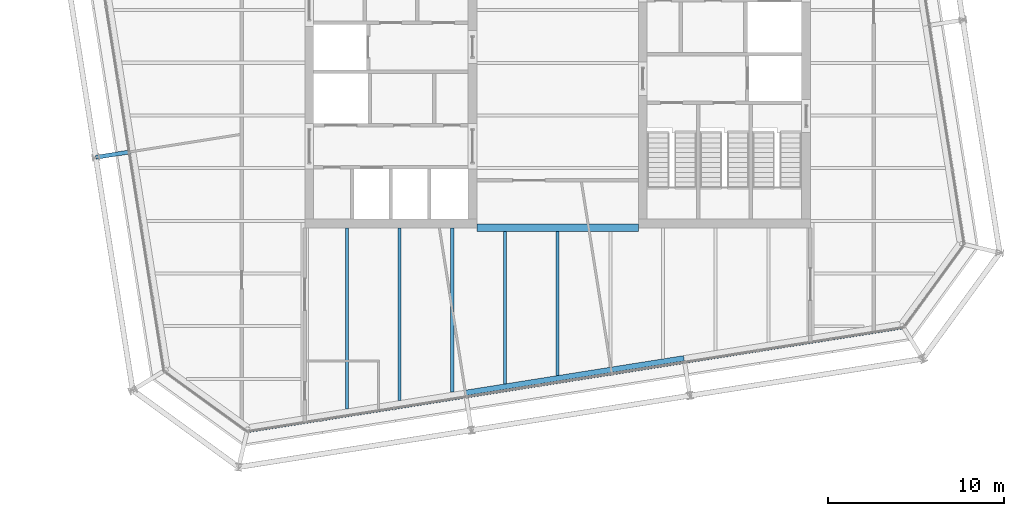
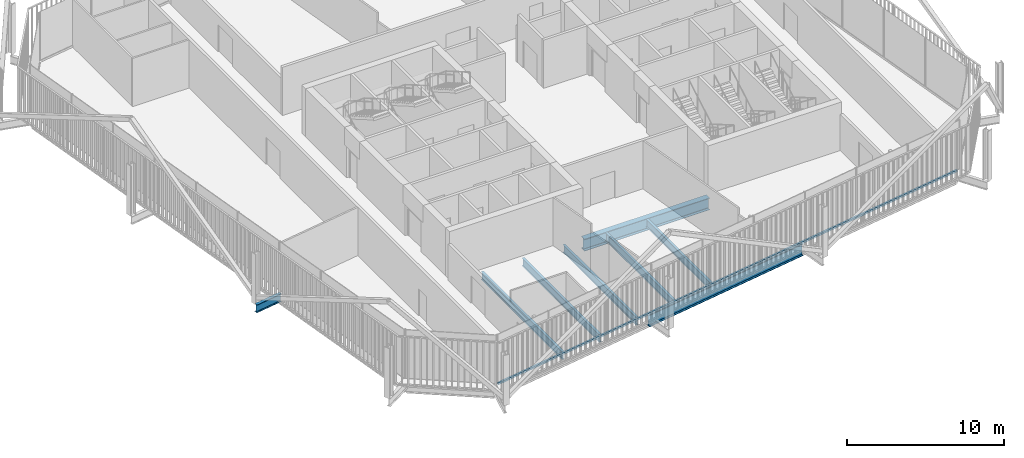
# One storey, part 4 of 21: 8 beams, 1 member, 1 element without a shape of its own.
"""IFC4 building model written with IfcOpenShell, lengths in metres."""

from ifc_helpers import new_model, si_unit, direction, frame, origin, origin_2d, place, context, subcontext, project, spatial, rectangle, i_section, extrude, material, layer, layer_set, material_profile, profile_set, type_object, element, aggregate, save


model = new_model("IFC4")

# Units and contexts
model_context = context("Model", 3, precision=1e-05, world=origin(), true_north=direction((0.0, 1.0)))
body_context = subcontext(model_context, "Body", "Model", "MODEL_VIEW")
ifc_project = project(units=[si_unit("LENGTHUNIT", "METRE"), si_unit("AREAUNIT", "SQUARE_METRE"), si_unit("VOLUMEUNIT", "CUBIC_METRE"), si_unit("PLANEANGLEUNIT", "RADIAN"), si_unit("MASSUNIT", "GRAM", prefix="KILO")], contexts=[model_context])

# Site, building, storey
site_placement = place(None, origin())
site = spatial("IfcSite", under=ifc_project, at=site_placement, CompositionType="ELEMENT")
building_placement = place(site_placement, origin())
building = spatial("IfcBuilding", under=site, at=building_placement, Name="Millrace Tower", CompositionType="ELEMENT")
storey_placement = place(building_placement, frame((0.0, 0.0, 247.39990234375)))
storey = spatial("IfcBuildingStorey", under=building, at=storey_placement, Name="L56", CompositionType="ELEMENT", Elevation=247.39990234375)

# Curtain wall, member
ifc_material_1 = material(Name="Aluminium and glass", Category="aluminium")
ifc_layer = layer(ifc_material_1, 0.14990234375)
ifc_layer_set = layer_set([ifc_layer], Name="Aluminium and glass")
curtain_wall_type = type_object("IfcCurtainWallType", Name="CW-1 office vision curtain wall", PredefinedType="NOTDEFINED", material=ifc_layer_set)
curtain_wall_placement = place(storey_placement, origin())
curtain_wall = element("IfcCurtainWall", 1, at=curtain_wall_placement, inside=storey, type_object=curtain_wall_type, Name="Curtain wall D-F02 L56", PredefinedType="NOTDEFINED")
ifc_material_2 = material(Name="Aluminium", Category="aluminium")
ifc_material_profile_1 = material_profile(ifc_material_2, rectangle(XDim=0.14990234375, YDim=0.139892578125, at=origin_2d()))
ifc_profile_set_1 = profile_set([ifc_material_profile_1], Name="Aluminium")
member_type = type_object("IfcMemberType", Name="CW-1 office vision curtain wall transom", PredefinedType="USERDEFINED", material=ifc_profile_set_1)
member_placement = place(storey_placement, frame((-17.558837890625, -20.98193359375, 0.070068359375), z_axis=(0.987687829698, 0.156437690685, 0.0), x_axis=(-0.156437690685, 0.987687829698, 0.0)))
member = element("IfcMember", 2, at=member_placement, type_object=member_type, Name="CW1 transom D-F02.1", ObjectType="TRANSOM", PredefinedType="USERDEFINED", context=body_context, shape_type="SweptSolid", body=[
    extrude(rectangle(XDim=0.14990234375, YDim=0.139892578125, at=origin_2d()), origin(), (0.0, 0.0, 1.0), 37.60009765625),
])
aggregate(curtain_wall, [member])

# Beams
ifc_material_3 = material(Name="Steel ASTM A992 Grade 50", Category="steel")
ifc_material_profile_2 = material_profile(ifc_material_3, i_section(OverallWidth=0.177978515625, OverallDepth=0.599365234375, WebThickness=0.010009765625, FlangeThickness=0.012939453125, FilletRadius=0.012939453125, at=origin_2d()))
ifc_profile_set_2 = profile_set([ifc_material_profile_2], Name="Steel ASTM A992 Grade 50")
beam_type_1 = type_object("IfcBeamType", Name="Floor beam W24x55", PredefinedType="JOIST", material=ifc_profile_set_2)
beam_1_placement = place(storey_placement, frame((-9.0, -19.2392578125, -0.459716796875), z_axis=(0.0, 1.0, 0.0), x_axis=(-1.0, 0.0, 0.0)))
element("IfcBeam", 3, at=beam_1_placement, inside=storey, type_object=beam_type_1, Name="BM-D-L56-S1-S039", PredefinedType="JOIST", context=body_context, shape_type="SweptSolid", body=[
    extrude(i_section(OverallWidth=0.177978515625, OverallDepth=0.599365234375, WebThickness=0.010009765625, FlangeThickness=0.012939453125, FilletRadius=0.012939453125, at=origin_2d()), origin(), (0.0, 0.0, 1.0), 9.83935546875),
])
beam_2_placement = place(storey_placement, frame((-6.0, -18.763916015625, -0.459716796875), z_axis=(0.0, 1.0, 0.0), x_axis=(-1.0, 0.0, 0.0)))
element("IfcBeam", 4, at=beam_2_placement, inside=storey, type_object=beam_type_1, Name="BM-D-L56-S1-S041", PredefinedType="JOIST", context=body_context, shape_type="SweptSolid", body=[
    extrude(i_section(OverallWidth=0.177978515625, OverallDepth=0.599365234375, WebThickness=0.010009765625, FlangeThickness=0.012939453125, FilletRadius=0.012939453125, at=origin_2d()), origin(), (0.0, 0.0, 1.0), 9.364013671875),
])
beam_3_placement = place(storey_placement, frame((-3.0, -18.288818359375, -0.459716796875), z_axis=(0.0, 1.0, 0.0), x_axis=(-1.0, 0.0, 0.0)))
element("IfcBeam", 5, at=beam_3_placement, inside=storey, type_object=beam_type_1, Name="BM-D-L56-S1-S043", PredefinedType="JOIST", context=body_context, shape_type="SweptSolid", body=[
    extrude(i_section(OverallWidth=0.177978515625, OverallDepth=0.599365234375, WebThickness=0.010009765625, FlangeThickness=0.012939453125, FilletRadius=0.012939453125, at=origin_2d()), origin(), (0.0, 0.0, 1.0), 8.67919921875),
])
beam_4_placement = place(storey_placement, frame((0.0, -17.813720703125, -0.459716796875), z_axis=(0.0, 1.0, 0.0), x_axis=(-1.0, 0.0, 0.0)))
element("IfcBeam", 6, at=beam_4_placement, inside=storey, type_object=beam_type_1, Name="BM-D-L56-S1-S045", PredefinedType="JOIST", context=body_context, shape_type="SweptSolid", body=[
    extrude(i_section(OverallWidth=0.177978515625, OverallDepth=0.599365234375, WebThickness=0.010009765625, FlangeThickness=0.012939453125, FilletRadius=0.012939453125, at=origin_2d()), origin(), (0.0, 0.0, 1.0), 8.2041015625),
])
ifc_material_4 = material(Name="Steel ASTM A992 Grade 50", Category="steel")
ifc_material_profile_3 = material_profile(ifc_material_4, i_section(OverallWidth=0.1787109375, OverallDepth=0.60205078125, WebThickness=0.010986328125, FlangeThickness=0.014892578125, FilletRadius=0.0126953125, at=origin_2d()))
ifc_profile_set_3 = profile_set([ifc_material_profile_3], Name="Steel ASTM A992 Grade 50")
beam_type_2 = type_object("IfcBeamType", Name="Floor beam W24x62", PredefinedType="JOIST", material=ifc_profile_set_3)
beam_5_placement = place(storey_placement, frame((-12.0, -19.71435546875, -0.4609375), z_axis=(0.0, 1.0, 0.0), x_axis=(-1.0, 0.0, 0.0)))
element("IfcBeam", 7, at=beam_5_placement, inside=storey, type_object=beam_type_2, Name="BM-D-L56-S1-S037", PredefinedType="JOIST", context=body_context, shape_type="SweptSolid", body=[
    extrude(i_section(OverallWidth=0.1787109375, OverallDepth=0.60205078125, WebThickness=0.010986328125, FlangeThickness=0.014892578125, FilletRadius=0.0126953125, at=origin_2d()), origin(), (0.0, 0.0, 1.0), 10.314453125),
])
ifc_material_5 = material(Name="Steel ASTM A992 Grade 50", Category="steel")
ifc_material_profile_4 = material_profile(ifc_material_5, i_section(OverallWidth=0.419189453125, OverallDepth=0.927001953125, WebThickness=0.019287109375, FlangeThickness=0.031982421875, FilletRadius=0.024169921875, at=origin_2d()))
ifc_profile_set_4 = profile_set([ifc_material_profile_4], Name="Steel ASTM A992 Grade 50")
beam_type_3 = type_object("IfcBeamType", Name="Girder short span W36x231", PredefinedType="BEAM", material=ifc_profile_set_4)
beam_6_placement = place(storey_placement, frame((-4.60009765625, -9.39990234375, -0.62353515625), z_axis=(1.0, 0.0, 0.0), x_axis=(0.0, 1.0, 0.0)))
element("IfcBeam", 8, at=beam_6_placement, inside=storey, type_object=beam_type_3, Name="BM-D-L56-S1-G059", PredefinedType="BEAM", context=body_context, shape_type="SweptSolid", body=[
    extrude(i_section(OverallWidth=0.419189453125, OverallDepth=0.927001953125, WebThickness=0.019287109375, FlangeThickness=0.031982421875, FilletRadius=0.024169921875, at=origin_2d()), origin(), (0.0, 0.0, 1.0), 9.2001953125),
])
ifc_material_6 = material(Name="Steel ASTM A992 Grade 50", Category="steel")
ifc_material_profile_5 = material_profile(ifc_material_6, i_section(OverallWidth=0.23046875, OverallDepth=0.6171875, WebThickness=0.01318359375, FlangeThickness=0.022216796875, FilletRadius=0.012939453125, at=origin_2d()))
ifc_profile_set_5 = profile_set([ifc_material_profile_5], Name="Steel ASTM A992 Grade 50")
beam_type_4 = type_object("IfcBeamType", Name="Link beam W24x94", PredefinedType="BEAM", material=ifc_profile_set_5)
beam_7_placement = place(storey_placement, frame((-24.331298828125, -5.0703125, -0.468505859375), z_axis=(-0.987678691416, -0.156495375404, 0.0), x_axis=(0.156495375404, -0.987678691416, 0.0)))
element("IfcBeam", 9, at=beam_7_placement, inside=storey, type_object=beam_type_4, Name="LNK-D-L56-S1-02", PredefinedType="BEAM", context=body_context, shape_type="SweptSolid", body=[
    extrude(i_section(OverallWidth=0.23046875, OverallDepth=0.6171875, WebThickness=0.01318359375, FlangeThickness=0.022216796875, FilletRadius=0.012939453125, at=origin_2d()), origin(), (0.0, 0.0, 1.0), 2.0),
])
ifc_material_7 = material(Name="Steel ASTM A992 Grade 50", Category="steel")
ifc_material_profile_6 = material_profile(ifc_material_7, i_section(OverallWidth=0.307373046875, OverallDepth=0.927001953125, WebThickness=0.01953125, FlangeThickness=0.031982421875, FilletRadius=0.01904296875, at=origin_2d()))
ifc_profile_set_6 = profile_set([ifc_material_profile_6], Name="Steel ASTM A992 Grade 50")
beam_type_5 = type_object("IfcBeamType", Name="Ring beam medium span W36x194", PredefinedType="SPANDREL", material=ifc_profile_set_6)
beam_8_placement = place(storey_placement, frame((7.1962890625, -16.82958984375, -0.62353515625), z_axis=(-0.987689802912, -0.156425232058, 0.0), x_axis=(0.156425232058, -0.987689802912, 0.0)))
element("IfcBeam", 10, at=beam_8_placement, inside=storey, type_object=beam_type_5, Name="RNG-D-L56-S1-14", PredefinedType="SPANDREL", context=body_context, shape_type="SweptSolid", body=[
    extrude(i_section(OverallWidth=0.307373046875, OverallDepth=0.927001953125, WebThickness=0.01953125, FlangeThickness=0.031982421875, FilletRadius=0.01904296875, at=origin_2d()), origin(), (0.0, 0.0, 1.0), 12.599853515625),
])

save(model, "model.ifc")
